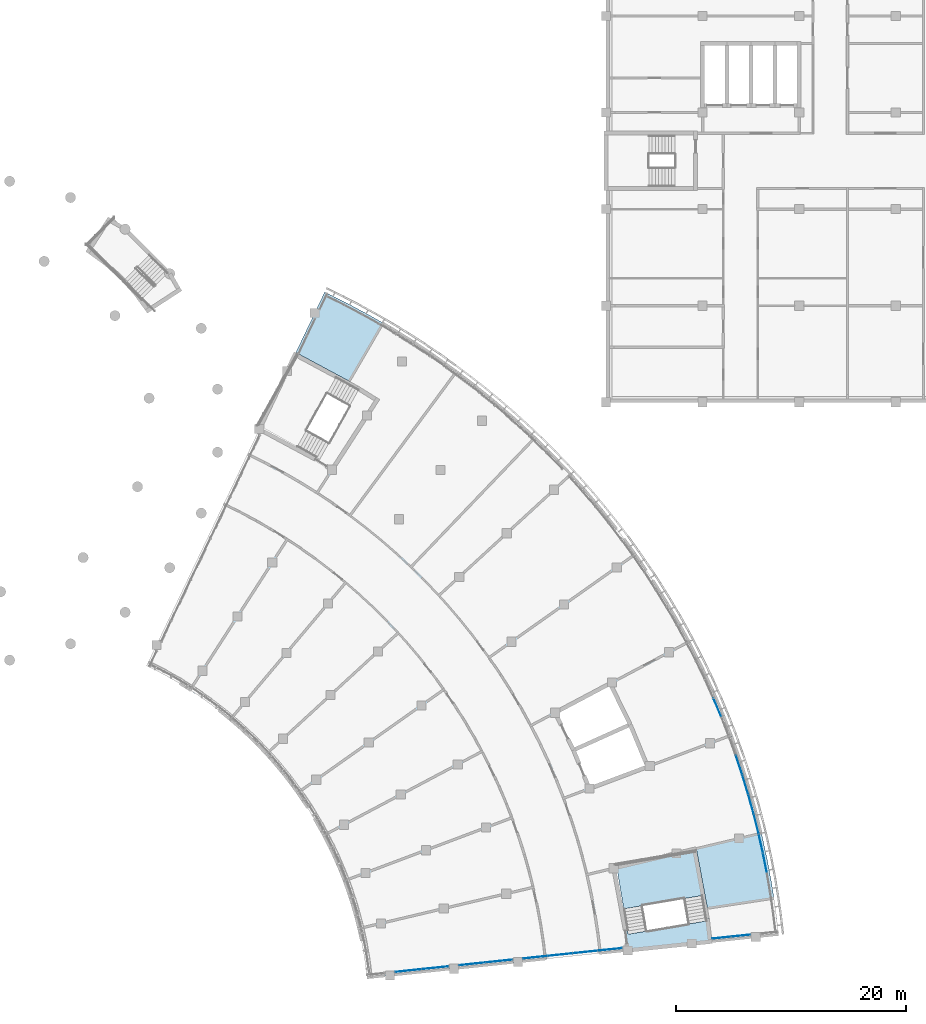
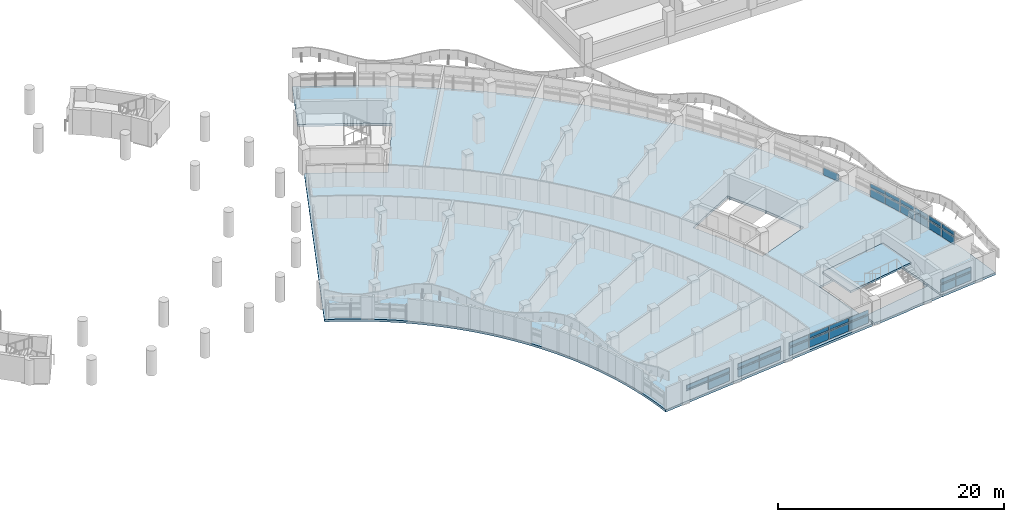
# One storey, part 33 of 89: 48 plates, 3 slabs, 8 elements without a shape of their own.
"""IFC4 building model written with IfcOpenShell, lengths in metres."""

from ifc_helpers import new_model, si_unit, direction, frame, origin, origin_2d, place, context, subcontext, project, spatial, polyline, rectangle, outline, extrude, material, layer, layer_set, type_object, element, aggregate, save


model = new_model("IFC4")

# Units and contexts
model_context = context("Model", 3, precision=1e-05, world=origin(), true_north=direction((0.0, 1.0)))
body_context = subcontext(model_context, "Body", "Model", "MODEL_VIEW")
ifc_project = project(units=[si_unit("LENGTHUNIT", "METRE"), si_unit("AREAUNIT", "SQUARE_METRE"), si_unit("VOLUMEUNIT", "CUBIC_METRE"), si_unit("PLANEANGLEUNIT", "RADIAN"), si_unit("MASSUNIT", "GRAM", prefix="KILO")], contexts=[model_context])

# Site, building, storey
site_placement = place(None, origin())
site = spatial("IfcSite", under=ifc_project, at=site_placement, CompositionType="ELEMENT")
building_placement = place(site_placement, origin())
building = spatial("IfcBuilding", under=site, at=building_placement, Name="Bougainvillea Quay General Hospital", CompositionType="ELEMENT")
storey_placement = place(building_placement, frame((0.0, 0.0, 9.89990234375)))
storey = spatial("IfcBuildingStorey", under=building, at=storey_placement, Name="L01M", CompositionType="ELEMENT", Elevation=9.89990234375)

# Curtain wall, plates
ifc_material_1 = material(Name="Aluminium curtain wall system, powder-coated glazed", Category="aluminium")
curtain_wall_type_1 = type_object("IfcCurtainWallType", Name="Unitised curtain wall CW-2380", PredefinedType="NOTDEFINED", material=ifc_material_1)
curtain_wall_1_placement = place(storey_placement, origin())
curtain_wall_1 = element("IfcCurtainWall", 1, at=curtain_wall_1_placement, inside=storey, type_object=curtain_wall_type_1, Name="CW-AE 01", PredefinedType="NOTDEFINED")
ifc_material_2 = material(Name="Insulated aluminium spandrel panel, white", Category="aluminium")
ifc_layer_1 = layer(ifc_material_2, 0.028076171875)
ifc_layer_set_1 = layer_set([ifc_layer_1], Name="Insulated aluminium spandrel panel, white")
plate_type_1 = type_object("IfcPlateType", Name="Insulated spandrel panel white 28", PredefinedType="CURTAIN_PANEL", material=ifc_layer_set_1)
plate_1_placement = place(storey_placement, frame((146.59326171875, 26.181640625, 1.080078125), z_axis=(0.0, 0.0, 1.0), x_axis=(0.9945220309, 0.104527173765, 0.0)))
plate_1 = element("IfcPlate", 2, at=plate_1_placement, type_object=plate_type_1, Name="CW-AE spandrel panel 1.3", PredefinedType="CURTAIN_PANEL", context=body_context, shape_type="SweptSolid", body=[
    extrude(rectangle(XDim=2.289794921875, YDim=0.028076171875, at=origin_2d()), origin(), (0.0, 0.0, 1.0), 0.409912109375),
])
plate_2_placement = place(storey_placement, frame((148.93017578125, 26.42724609375, 0.06005859375), z_axis=(0.0, 0.0, 1.0), x_axis=(0.9945220309, 0.104527173765, 0.0)))
plate_2 = element("IfcPlate", 3, at=plate_2_placement, type_object=plate_type_1, Name="CW-AE spandrel panel 2.1", PredefinedType="CURTAIN_PANEL", context=body_context, shape_type="SweptSolid", body=[
    extrude(rectangle(XDim=2.289794921875, YDim=0.028076171875, at=origin_2d()), origin(), (0.0, 0.0, 1.0), 0.81005859375),
])
plate_3_placement = place(storey_placement, frame((148.93017578125, 26.42724609375, 1.080078125), z_axis=(0.0, 0.0, 1.0), x_axis=(0.9945220309, 0.104527173765, 0.0)))
plate_3 = element("IfcPlate", 4, at=plate_3_placement, type_object=plate_type_1, Name="CW-AE spandrel panel 2.3", PredefinedType="CURTAIN_PANEL", context=body_context, shape_type="SweptSolid", body=[
    extrude(rectangle(XDim=2.289794921875, YDim=0.028076171875, at=origin_2d()), origin(), (0.0, 0.0, 1.0), 0.409912109375),
])

curtain_wall_2_placement = place(storey_placement, origin())
curtain_wall_2 = element("IfcCurtainWall", 5, at=curtain_wall_2_placement, inside=storey, type_object=curtain_wall_type_1, Name="CW-AE 02", PredefinedType="NOTDEFINED")
plate_4_placement = place(storey_placement, frame((152.162109375, 26.766845703125, 0.06005859375), z_axis=(0.0, 0.0, 1.0), x_axis=(0.9945220309, 0.104527173765, 0.0)))
plate_4 = element("IfcPlate", 6, at=plate_4_placement, type_object=plate_type_1, Name="CW-AE spandrel panel 1.1", PredefinedType="CURTAIN_PANEL", context=body_context, shape_type="SweptSolid", body=[
    extrude(rectangle(XDim=2.289794921875, YDim=0.028076171875, at=origin_2d()), origin(), (0.0, 0.0, 1.0), 0.81005859375),
])
plate_5_placement = place(storey_placement, frame((152.162109375, 26.766845703125, 1.080078125), z_axis=(0.0, 0.0, 1.0), x_axis=(0.9945220309, 0.104527173765, 0.0)))
plate_5 = element("IfcPlate", 7, at=plate_5_placement, type_object=plate_type_1, Name="CW-AE spandrel panel 1.3", PredefinedType="CURTAIN_PANEL", context=body_context, shape_type="SweptSolid", body=[
    extrude(rectangle(XDim=2.289794921875, YDim=0.028076171875, at=origin_2d()), origin(), (0.0, 0.0, 1.0), 0.409912109375),
])
plate_6_placement = place(storey_placement, frame((154.499267578125, 27.012451171875, 0.06005859375), z_axis=(0.0, 0.0, 1.0), x_axis=(0.9945220309, 0.104527173765, 0.0)))
plate_6 = element("IfcPlate", 8, at=plate_6_placement, type_object=plate_type_1, Name="CW-AE spandrel panel 2.1", PredefinedType="CURTAIN_PANEL", context=body_context, shape_type="SweptSolid", body=[
    extrude(rectangle(XDim=2.289794921875, YDim=0.028076171875, at=origin_2d()), origin(), (0.0, 0.0, 1.0), 0.81005859375),
])
plate_7_placement = place(storey_placement, frame((154.499267578125, 27.012451171875, 1.080078125), z_axis=(0.0, 0.0, 1.0), x_axis=(0.9945220309, 0.104527173765, 0.0)))
plate_7 = element("IfcPlate", 9, at=plate_7_placement, type_object=plate_type_1, Name="CW-AE spandrel panel 2.3", PredefinedType="CURTAIN_PANEL", context=body_context, shape_type="SweptSolid", body=[
    extrude(rectangle(XDim=2.289794921875, YDim=0.028076171875, at=origin_2d()), origin(), (0.0, 0.0, 1.0), 0.409912109375),
])

curtain_wall_type_2 = type_object("IfcCurtainWallType", Name="Unitised curtain wall CW-2190", PredefinedType="NOTDEFINED", material=ifc_material_1)
curtain_wall_3_placement = place(storey_placement, origin())
curtain_wall_3 = element("IfcCurtainWall", 10, at=curtain_wall_3_placement, inside=storey, type_object=curtain_wall_type_2, Name="CW-AE 03", PredefinedType="NOTDEFINED")
plate_8_placement = place(storey_placement, frame((157.63671875, 27.34228515625, 0.06005859375), z_axis=(0.0, 0.0, 1.0), x_axis=(0.9945220309, 0.104527173765, 0.0)))
plate_8 = element("IfcPlate", 11, at=plate_8_placement, type_object=plate_type_1, Name="CW-AE spandrel panel 1.1", PredefinedType="CURTAIN_PANEL", context=body_context, shape_type="SweptSolid", body=[
    extrude(rectangle(XDim=2.099853515625, YDim=0.028076171875, at=origin_2d()), origin(), (0.0, 0.0, 1.0), 0.81005859375),
])
plate_9_placement = place(storey_placement, frame((157.63671875, 27.34228515625, 1.080078125), z_axis=(0.0, 0.0, 1.0), x_axis=(0.9945220309, 0.104527173765, 0.0)))
plate_9 = element("IfcPlate", 12, at=plate_9_placement, type_object=plate_type_1, Name="CW-AE spandrel panel 1.3", PredefinedType="CURTAIN_PANEL", context=body_context, shape_type="SweptSolid", body=[
    extrude(rectangle(XDim=2.099853515625, YDim=0.028076171875, at=origin_2d()), origin(), (0.0, 0.0, 1.0), 0.409912109375),
])
plate_10_placement = place(storey_placement, frame((159.7998046875, 27.569580078125, 0.06005859375), z_axis=(0.0, 0.0, 1.0), x_axis=(0.9945220309, 0.104527173765, 0.0)))
plate_10 = element("IfcPlate", 13, at=plate_10_placement, type_object=plate_type_1, Name="CW-AE spandrel panel 2.1", PredefinedType="CURTAIN_PANEL", context=body_context, shape_type="SweptSolid", body=[
    extrude(rectangle(XDim=2.1298828125, YDim=0.028076171875, at=origin_2d()), origin(), (0.0, 0.0, 1.0), 0.81005859375),
])
plate_11_placement = place(storey_placement, frame((159.7998046875, 27.569580078125, 1.080078125), z_axis=(0.0, 0.0, 1.0), x_axis=(0.9945220309, 0.104527173765, 0.0)))
plate_11 = element("IfcPlate", 14, at=plate_11_placement, type_object=plate_type_1, Name="CW-AE spandrel panel 2.3", PredefinedType="CURTAIN_PANEL", context=body_context, shape_type="SweptSolid", body=[
    extrude(rectangle(XDim=2.1298828125, YDim=0.028076171875, at=origin_2d()), origin(), (0.0, 0.0, 1.0), 0.409912109375),
])
plate_12_placement = place(storey_placement, frame((161.977783203125, 27.798583984375, 0.06005859375), z_axis=(0.0, 0.0, 1.0), x_axis=(0.9945220309, 0.104527173765, 0.0)))
plate_12 = element("IfcPlate", 15, at=plate_12_placement, type_object=plate_type_1, Name="CW-AE spandrel panel 3.1", PredefinedType="CURTAIN_PANEL", context=body_context, shape_type="SweptSolid", body=[
    extrude(rectangle(XDim=2.1298828125, YDim=0.028076171875, at=origin_2d()), origin(), (0.0, 0.0, 1.0), 0.81005859375),
])
plate_13_placement = place(storey_placement, frame((161.977783203125, 27.798583984375, 1.080078125), z_axis=(0.0, 0.0, 1.0), x_axis=(0.9945220309, 0.104527173765, 0.0)))
plate_13 = element("IfcPlate", 16, at=plate_13_placement, type_object=plate_type_1, Name="CW-AE spandrel panel 3.3", PredefinedType="CURTAIN_PANEL", context=body_context, shape_type="SweptSolid", body=[
    extrude(rectangle(XDim=2.1298828125, YDim=0.028076171875, at=origin_2d()), origin(), (0.0, 0.0, 1.0), 0.409912109375),
])
plate_14_placement = place(storey_placement, frame((164.140625, 28.02587890625, 0.06005859375), z_axis=(0.0, 0.0, 1.0), x_axis=(0.9945220309, 0.104527173765, 0.0)))
plate_14 = element("IfcPlate", 17, at=plate_14_placement, type_object=plate_type_1, Name="CW-AE spandrel panel 4.1", PredefinedType="CURTAIN_PANEL", context=body_context, shape_type="SweptSolid", body=[
    extrude(rectangle(XDim=2.099853515625, YDim=0.028076171875, at=origin_2d()), origin(), (0.0, 0.0, 1.0), 0.81005859375),
])
plate_15_placement = place(storey_placement, frame((164.140625, 28.02587890625, 1.080078125), z_axis=(0.0, 0.0, 1.0), x_axis=(0.9945220309, 0.104527173765, 0.0)))
plate_15 = element("IfcPlate", 18, at=plate_15_placement, type_object=plate_type_1, Name="CW-AE spandrel panel 4.3", PredefinedType="CURTAIN_PANEL", context=body_context, shape_type="SweptSolid", body=[
    extrude(rectangle(XDim=2.099853515625, YDim=0.028076171875, at=origin_2d()), origin(), (0.0, 0.0, 1.0), 0.409912109375),
])

curtain_wall_type_3 = type_object("IfcCurtainWallType", Name="Unitised curtain wall CW-1703", PredefinedType="NOTDEFINED", material=ifc_material_1)
curtain_wall_4_placement = place(storey_placement, origin())
curtain_wall_4 = element("IfcCurtainWall", 19, at=curtain_wall_4_placement, inside=storey, type_object=curtain_wall_type_3, Name="CW-AE 04", PredefinedType="NOTDEFINED")
plate_16_placement = place(storey_placement, frame((173.85888671875, 29.04736328125, 0.06005859375), z_axis=(0.0, 0.0, 1.0), x_axis=(0.9945220309, 0.104527173765, 0.0)))
plate_16 = element("IfcPlate", 20, at=plate_16_placement, type_object=plate_type_1, Name="CW-AE spandrel panel 1.1", PredefinedType="CURTAIN_PANEL", context=body_context, shape_type="SweptSolid", body=[
    extrude(rectangle(XDim=1.612548828125, YDim=0.028076171875, at=origin_2d()), origin(), (0.0, 0.0, 1.0), 0.81005859375),
])
plate_17_placement = place(storey_placement, frame((173.85888671875, 29.04736328125, 1.080078125), z_axis=(0.0, 0.0, 1.0), x_axis=(0.9945220309, 0.104527173765, 0.0)))
plate_17 = element("IfcPlate", 21, at=plate_17_placement, type_object=plate_type_1, Name="CW-AE spandrel panel 1.3", PredefinedType="CURTAIN_PANEL", context=body_context, shape_type="SweptSolid", body=[
    extrude(rectangle(XDim=1.612548828125, YDim=0.028076171875, at=origin_2d()), origin(), (0.0, 0.0, 1.0), 0.409912109375),
])
plate_18_placement = place(storey_placement, frame((175.522216796875, 29.22216796875, 0.06005859375), z_axis=(0.0, 0.0, 1.0), x_axis=(0.9945220309, 0.104527173765, 0.0)))
plate_18 = element("IfcPlate", 22, at=plate_18_placement, type_object=plate_type_1, Name="CW-AE spandrel panel 2.1", PredefinedType="CURTAIN_PANEL", context=body_context, shape_type="SweptSolid", body=[
    extrude(rectangle(XDim=1.612548828125, YDim=0.028076171875, at=origin_2d()), origin(), (0.0, 0.0, 1.0), 0.81005859375),
])
plate_19_placement = place(storey_placement, frame((175.522216796875, 29.22216796875, 1.080078125), z_axis=(0.0, 0.0, 1.0), x_axis=(0.9945220309, 0.104527173765, 0.0)))
plate_19 = element("IfcPlate", 23, at=plate_19_placement, type_object=plate_type_1, Name="CW-AE spandrel panel 2.3", PredefinedType="CURTAIN_PANEL", context=body_context, shape_type="SweptSolid", body=[
    extrude(rectangle(XDim=1.612548828125, YDim=0.028076171875, at=origin_2d()), origin(), (0.0, 0.0, 1.0), 0.409912109375),
])

# Curtain wall, plate
curtain_wall_type_4 = type_object("IfcCurtainWallType", Name="Unitised curtain wall CW-2100", PredefinedType="NOTDEFINED", material=ifc_material_1)
curtain_wall_5_placement = place(storey_placement, origin())
curtain_wall_5 = element("IfcCurtainWall", 24, at=curtain_wall_5_placement, inside=storey, type_object=curtain_wall_type_4, Name="CW-E06 a14b5", PredefinedType="NOTDEFINED")
plate_20_placement = place(storey_placement, frame((173.48486328125, 49.051513671875, 0.06005859375), z_axis=(0.0, 0.0, 1.0), x_axis=(0.387863093127, -0.921716996149, 0.0)))
plate_20 = element("IfcPlate", 25, at=plate_20_placement, type_object=plate_type_1, Name="CW-E06 spandrel panel 4.1", PredefinedType="CURTAIN_PANEL", context=body_context, shape_type="SweptSolid", body=[
    extrude(rectangle(XDim=1.72021484375, YDim=0.028076171875, at=origin_2d()), origin(), (0.0, 0.0, 1.0), 0.81005859375),
])
aggregate(curtain_wall_5, [plate_20])

# Curtain wall, plates
curtain_wall_6_placement = place(storey_placement, origin())
curtain_wall_6 = element("IfcCurtainWall", 26, at=curtain_wall_6_placement, inside=storey, type_object=curtain_wall_type_4, Name="CW-E07 a14b6", PredefinedType="NOTDEFINED")
plate_21_placement = place(storey_placement, frame((175.365966796875, 44.0546875, 0.06005859375), z_axis=(0.0, 0.0, 1.0), x_axis=(0.316218678786, -0.948686327079, 0.0)))
plate_21 = element("IfcPlate", 27, at=plate_21_placement, type_object=plate_type_1, Name="CW-E07 spandrel panel 2.1", PredefinedType="CURTAIN_PANEL", context=body_context, shape_type="SweptSolid", body=[
    extrude(rectangle(XDim=1.72021484375, YDim=0.028076171875, at=origin_2d()), origin(), (0.0, 0.0, 1.0), 0.81005859375),
])
plate_22_placement = place(storey_placement, frame((175.365966796875, 44.0546875, 1.080078125), z_axis=(0.0, 0.0, 1.0), x_axis=(0.316218678786, -0.948686327079, 0.0)))
plate_22 = element("IfcPlate", 28, at=plate_22_placement, type_object=plate_type_1, Name="CW-E07 spandrel panel 2.3", PredefinedType="CURTAIN_PANEL", context=body_context, shape_type="SweptSolid", body=[
    extrude(rectangle(XDim=1.72021484375, YDim=0.028076171875, at=origin_2d()), origin(), (0.0, 0.0, 1.0), 0.409912109375),
])
plate_23_placement = place(storey_placement, frame((175.9072265625, 42.35888671875, 0.06005859375), z_axis=(0.0, 0.0, 1.0), x_axis=(0.291904331163, -0.956447521534, 0.0)))
plate_23 = element("IfcPlate", 29, at=plate_23_placement, type_object=plate_type_1, Name="CW-E07 spandrel panel 3.1", PredefinedType="CURTAIN_PANEL", context=body_context, shape_type="SweptSolid", body=[
    extrude(rectangle(XDim=1.72021484375, YDim=0.028076171875, at=origin_2d()), origin(), (0.0, 0.0, 1.0), 0.81005859375),
])
plate_24_placement = place(storey_placement, frame((175.9072265625, 42.35888671875, 1.080078125), z_axis=(0.0, 0.0, 1.0), x_axis=(0.291904331163, -0.956447521534, 0.0)))
plate_24 = element("IfcPlate", 30, at=plate_24_placement, type_object=plate_type_1, Name="CW-E07 spandrel panel 3.3", PredefinedType="CURTAIN_PANEL", context=body_context, shape_type="SweptSolid", body=[
    extrude(rectangle(XDim=1.72021484375, YDim=0.028076171875, at=origin_2d()), origin(), (0.0, 0.0, 1.0), 0.409912109375),
])
plate_25_placement = place(storey_placement, frame((176.405029296875, 40.649658203125, 0.06005859375), z_axis=(0.0, 0.0, 1.0), x_axis=(0.267399830158, -0.963585663463, 0.0)))
plate_25 = element("IfcPlate", 31, at=plate_25_placement, type_object=plate_type_1, Name="CW-E07 spandrel panel 4.1", PredefinedType="CURTAIN_PANEL", context=body_context, shape_type="SweptSolid", body=[
    extrude(rectangle(XDim=1.72021484375, YDim=0.028076171875, at=origin_2d()), origin(), (0.0, 0.0, 1.0), 0.81005859375),
])
plate_26_placement = place(storey_placement, frame((176.405029296875, 40.649658203125, 1.080078125), z_axis=(0.0, 0.0, 1.0), x_axis=(0.267399830158, -0.963585663463, 0.0)))
plate_26 = element("IfcPlate", 32, at=plate_26_placement, type_object=plate_type_1, Name="CW-E07 spandrel panel 4.3", PredefinedType="CURTAIN_PANEL", context=body_context, shape_type="SweptSolid", body=[
    extrude(rectangle(XDim=1.72021484375, YDim=0.028076171875, at=origin_2d()), origin(), (0.0, 0.0, 1.0), 0.409912109375),
])
plate_27_placement = place(storey_placement, frame((176.85546875, 38.943115234375, 0.06005859375), z_axis=(0.0, 0.0, 1.0), x_axis=(0.242721138583, -0.970096102912, 0.0)))
plate_27 = element("IfcPlate", 33, at=plate_27_placement, type_object=plate_type_1, Name="CW-E07 spandrel panel 5.1", PredefinedType="CURTAIN_PANEL", context=body_context, shape_type="SweptSolid", body=[
    extrude(rectangle(XDim=1.690185546875, YDim=0.028076171875, at=origin_2d()), origin(), (0.0, 0.0, 1.0), 0.81005859375),
])
plate_28_placement = place(storey_placement, frame((176.85546875, 38.943115234375, 1.080078125), z_axis=(0.0, 0.0, 1.0), x_axis=(0.242721138583, -0.970096102912, 0.0)))
plate_28 = element("IfcPlate", 34, at=plate_28_placement, type_object=plate_type_1, Name="CW-E07 spandrel panel 5.3", PredefinedType="CURTAIN_PANEL", context=body_context, shape_type="SweptSolid", body=[
    extrude(rectangle(XDim=1.690185546875, YDim=0.028076171875, at=origin_2d()), origin(), (0.0, 0.0, 1.0), 0.409912109375),
])

curtain_wall_7_placement = place(storey_placement, origin())
curtain_wall_7 = element("IfcCurtainWall", 35, at=curtain_wall_7_placement, inside=storey, type_object=curtain_wall_type_4, Name="CW-E08 a14b7", PredefinedType="NOTDEFINED")
plate_29_placement = place(storey_placement, frame((177.265625, 37.21435546875, 0.06005859375), z_axis=(0.0, 0.0, 1.0), x_axis=(0.218351478204, -0.97587019217, 0.0)))
plate_29 = element("IfcPlate", 36, at=plate_29_placement, type_object=plate_type_1, Name="CW-E08 spandrel panel 1.1", PredefinedType="CURTAIN_PANEL", context=body_context, shape_type="SweptSolid", body=[
    extrude(rectangle(XDim=1.62353515625, YDim=0.028076171875, at=origin_2d()), origin(), (0.0, 0.0, 1.0), 0.81005859375),
])
plate_30_placement = place(storey_placement, frame((177.265625, 37.21435546875, 1.080078125), z_axis=(0.0, 0.0, 1.0), x_axis=(0.218351478204, -0.97587019217, 0.0)))
plate_30 = element("IfcPlate", 37, at=plate_30_placement, type_object=plate_type_1, Name="CW-E08 spandrel panel 1.3", PredefinedType="CURTAIN_PANEL", context=body_context, shape_type="SweptSolid", body=[
    extrude(rectangle(XDim=1.62353515625, YDim=0.028076171875, at=origin_2d()), origin(), (0.0, 0.0, 1.0), 0.409912109375),
])
plate_31_placement = place(storey_placement, frame((177.61572265625, 35.552490234375, 0.06005859375), z_axis=(0.0, 0.0, 1.0), x_axis=(0.194314432457, -0.98093929544, 0.0)))
plate_31 = element("IfcPlate", 38, at=plate_31_placement, type_object=plate_type_1, Name="CW-E08 spandrel panel 2.1", PredefinedType="CURTAIN_PANEL", context=body_context, shape_type="SweptSolid", body=[
    extrude(rectangle(XDim=1.653564453125, YDim=0.028076171875, at=origin_2d()), origin(), (0.0, 0.0, 1.0), 0.81005859375),
])
plate_32_placement = place(storey_placement, frame((177.61572265625, 35.552490234375, 1.080078125), z_axis=(0.0, 0.0, 1.0), x_axis=(0.194314432457, -0.98093929544, 0.0)))
plate_32 = element("IfcPlate", 39, at=plate_32_placement, type_object=plate_type_1, Name="CW-E08 spandrel panel 2.3", PredefinedType="CURTAIN_PANEL", context=body_context, shape_type="SweptSolid", body=[
    extrude(rectangle(XDim=1.653564453125, YDim=0.028076171875, at=origin_2d()), origin(), (0.0, 0.0, 1.0), 0.409912109375),
])

# Plate
ifc_material_3 = material(Name="Low-e laminated glass, solar control", Category="glass")
ifc_layer_2 = layer(ifc_material_3, 0.028076171875)
ifc_layer_set_2 = layer_set([ifc_layer_2], Name="Low-e laminated glass, solar control")
plate_type_2 = type_object("IfcPlateType", Name="Low-e laminated vision glass 28", PredefinedType="CURTAIN_PANEL", material=ifc_layer_set_2)
plate_33_placement = place(storey_placement, frame((146.59326171875, 26.181640625, 0.93017578125), z_axis=(0.0, 0.0, 1.0), x_axis=(0.9945220309, 0.104527173765, 0.0)))
plate_33 = element("IfcPlate", 40, at=plate_33_placement, type_object=plate_type_2, Name="CW-AE vision glass panel 1.2", PredefinedType="CURTAIN_PANEL", context=body_context, shape_type="SweptSolid", body=[
    extrude(rectangle(XDim=2.289794921875, YDim=0.028076171875, at=origin_2d()), origin(), (0.0, 0.0, 1.0), 0.090087890625),
])

plate_34_placement = place(storey_placement, frame((148.93017578125, 26.42724609375, 0.93017578125), z_axis=(0.0, 0.0, 1.0), x_axis=(0.9945220309, 0.104527173765, 0.0)))
plate_34 = element("IfcPlate", 41, at=plate_34_placement, type_object=plate_type_2, Name="CW-AE vision glass panel 2.2", PredefinedType="CURTAIN_PANEL", context=body_context, shape_type="SweptSolid", body=[
    extrude(rectangle(XDim=2.289794921875, YDim=0.028076171875, at=origin_2d()), origin(), (0.0, 0.0, 1.0), 0.090087890625),
])

aggregate(curtain_wall_1, [plate_33, plate_1, plate_2, plate_34, plate_3])

plate_35_placement = place(storey_placement, frame((152.162109375, 26.766845703125, 0.93017578125), z_axis=(0.0, 0.0, 1.0), x_axis=(0.9945220309, 0.104527173765, 0.0)))
plate_35 = element("IfcPlate", 42, at=plate_35_placement, type_object=plate_type_2, Name="CW-AE vision glass panel 1.2", PredefinedType="CURTAIN_PANEL", context=body_context, shape_type="SweptSolid", body=[
    extrude(rectangle(XDim=2.289794921875, YDim=0.028076171875, at=origin_2d()), origin(), (0.0, 0.0, 1.0), 0.090087890625),
])

plate_36_placement = place(storey_placement, frame((154.499267578125, 27.012451171875, 0.93017578125), z_axis=(0.0, 0.0, 1.0), x_axis=(0.9945220309, 0.104527173765, 0.0)))
plate_36 = element("IfcPlate", 43, at=plate_36_placement, type_object=plate_type_2, Name="CW-AE vision glass panel 2.2", PredefinedType="CURTAIN_PANEL", context=body_context, shape_type="SweptSolid", body=[
    extrude(rectangle(XDim=2.289794921875, YDim=0.028076171875, at=origin_2d()), origin(), (0.0, 0.0, 1.0), 0.090087890625),
])

aggregate(curtain_wall_2, [plate_4, plate_35, plate_5, plate_6, plate_36, plate_7])

plate_37_placement = place(storey_placement, frame((157.63671875, 27.34228515625, 0.93017578125), z_axis=(0.0, 0.0, 1.0), x_axis=(0.9945220309, 0.104527173765, 0.0)))
plate_37 = element("IfcPlate", 44, at=plate_37_placement, type_object=plate_type_2, Name="CW-AE vision glass panel 1.2", PredefinedType="CURTAIN_PANEL", context=body_context, shape_type="SweptSolid", body=[
    extrude(rectangle(XDim=2.099853515625, YDim=0.028076171875, at=origin_2d()), origin(), (0.0, 0.0, 1.0), 0.090087890625),
])

plate_38_placement = place(storey_placement, frame((159.7998046875, 27.569580078125, 0.93017578125), z_axis=(0.0, 0.0, 1.0), x_axis=(0.9945220309, 0.104527173765, 0.0)))
plate_38 = element("IfcPlate", 45, at=plate_38_placement, type_object=plate_type_2, Name="CW-AE vision glass panel 2.2", PredefinedType="CURTAIN_PANEL", context=body_context, shape_type="SweptSolid", body=[
    extrude(rectangle(XDim=2.1298828125, YDim=0.028076171875, at=origin_2d()), origin(), (0.0, 0.0, 1.0), 0.090087890625),
])

plate_39_placement = place(storey_placement, frame((161.977783203125, 27.798583984375, 0.93017578125), z_axis=(0.0, 0.0, 1.0), x_axis=(0.9945220309, 0.104527173765, 0.0)))
plate_39 = element("IfcPlate", 46, at=plate_39_placement, type_object=plate_type_2, Name="CW-AE vision glass panel 3.2", PredefinedType="CURTAIN_PANEL", context=body_context, shape_type="SweptSolid", body=[
    extrude(rectangle(XDim=2.1298828125, YDim=0.028076171875, at=origin_2d()), origin(), (0.0, 0.0, 1.0), 0.090087890625),
])

plate_40_placement = place(storey_placement, frame((164.140625, 28.02587890625, 0.93017578125), z_axis=(0.0, 0.0, 1.0), x_axis=(0.9945220309, 0.104527173765, 0.0)))
plate_40 = element("IfcPlate", 47, at=plate_40_placement, type_object=plate_type_2, Name="CW-AE vision glass panel 4.2", PredefinedType="CURTAIN_PANEL", context=body_context, shape_type="SweptSolid", body=[
    extrude(rectangle(XDim=2.099853515625, YDim=0.028076171875, at=origin_2d()), origin(), (0.0, 0.0, 1.0), 0.090087890625),
])

aggregate(curtain_wall_3, [plate_8, plate_37, plate_9, plate_10, plate_38, plate_11, plate_12, plate_39, plate_13, plate_14, plate_40, plate_15])

plate_41_placement = place(storey_placement, frame((173.85888671875, 29.04736328125, 0.93017578125), z_axis=(0.0, 0.0, 1.0), x_axis=(0.9945220309, 0.104527173765, 0.0)))
plate_41 = element("IfcPlate", 48, at=plate_41_placement, type_object=plate_type_2, Name="CW-AE vision glass panel 1.2", PredefinedType="CURTAIN_PANEL", context=body_context, shape_type="SweptSolid", body=[
    extrude(rectangle(XDim=1.612548828125, YDim=0.028076171875, at=origin_2d()), origin(), (0.0, 0.0, 1.0), 0.090087890625),
])

plate_42_placement = place(storey_placement, frame((175.522216796875, 29.22216796875, 0.93017578125), z_axis=(0.0, 0.0, 1.0), x_axis=(0.9945220309, 0.104527173765, 0.0)))
plate_42 = element("IfcPlate", 49, at=plate_42_placement, type_object=plate_type_2, Name="CW-AE vision glass panel 2.2", PredefinedType="CURTAIN_PANEL", context=body_context, shape_type="SweptSolid", body=[
    extrude(rectangle(XDim=1.612548828125, YDim=0.028076171875, at=origin_2d()), origin(), (0.0, 0.0, 1.0), 0.090087890625),
])

aggregate(curtain_wall_4, [plate_16, plate_41, plate_17, plate_18, plate_42, plate_19])

plate_43_placement = place(storey_placement, frame((175.365966796875, 44.0546875, 0.93017578125), z_axis=(0.0, 0.0, 1.0), x_axis=(0.316218678786, -0.948686327079, 0.0)))
plate_43 = element("IfcPlate", 50, at=plate_43_placement, type_object=plate_type_2, Name="CW-E07 vision glass panel 2.2", PredefinedType="CURTAIN_PANEL", context=body_context, shape_type="SweptSolid", body=[
    extrude(rectangle(XDim=1.72021484375, YDim=0.028076171875, at=origin_2d()), origin(), (0.0, 0.0, 1.0), 0.090087890625),
])

plate_44_placement = place(storey_placement, frame((175.9072265625, 42.35888671875, 0.93017578125), z_axis=(0.0, 0.0, 1.0), x_axis=(0.291904331163, -0.956447521534, 0.0)))
plate_44 = element("IfcPlate", 51, at=plate_44_placement, type_object=plate_type_2, Name="CW-E07 vision glass panel 3.2", PredefinedType="CURTAIN_PANEL", context=body_context, shape_type="SweptSolid", body=[
    extrude(rectangle(XDim=1.72021484375, YDim=0.028076171875, at=origin_2d()), origin(), (0.0, 0.0, 1.0), 0.090087890625),
])

plate_45_placement = place(storey_placement, frame((176.405029296875, 40.649658203125, 0.93017578125), z_axis=(0.0, 0.0, 1.0), x_axis=(0.267399830158, -0.963585663463, 0.0)))
plate_45 = element("IfcPlate", 52, at=plate_45_placement, type_object=plate_type_2, Name="CW-E07 vision glass panel 4.2", PredefinedType="CURTAIN_PANEL", context=body_context, shape_type="SweptSolid", body=[
    extrude(rectangle(XDim=1.72021484375, YDim=0.028076171875, at=origin_2d()), origin(), (0.0, 0.0, 1.0), 0.090087890625),
])

plate_46_placement = place(storey_placement, frame((176.85546875, 38.943115234375, 0.93017578125), z_axis=(0.0, 0.0, 1.0), x_axis=(0.242721138583, -0.970096102912, 0.0)))
plate_46 = element("IfcPlate", 53, at=plate_46_placement, type_object=plate_type_2, Name="CW-E07 vision glass panel 5.2", PredefinedType="CURTAIN_PANEL", context=body_context, shape_type="SweptSolid", body=[
    extrude(rectangle(XDim=1.690185546875, YDim=0.028076171875, at=origin_2d()), origin(), (0.0, 0.0, 1.0), 0.090087890625),
])

aggregate(curtain_wall_6, [plate_21, plate_43, plate_22, plate_23, plate_44, plate_24, plate_25, plate_45, plate_26, plate_27, plate_46, plate_28])

plate_47_placement = place(storey_placement, frame((177.265625, 37.21435546875, 0.93017578125), z_axis=(0.0, 0.0, 1.0), x_axis=(0.218351478204, -0.97587019217, 0.0)))
plate_47 = element("IfcPlate", 54, at=plate_47_placement, type_object=plate_type_2, Name="CW-E08 vision glass panel 1.2", PredefinedType="CURTAIN_PANEL", context=body_context, shape_type="SweptSolid", body=[
    extrude(rectangle(XDim=1.62353515625, YDim=0.028076171875, at=origin_2d()), origin(), (0.0, 0.0, 1.0), 0.090087890625),
])

plate_48_placement = place(storey_placement, frame((177.61572265625, 35.552490234375, 0.93017578125), z_axis=(0.0, 0.0, 1.0), x_axis=(0.194314432457, -0.98093929544, 0.0)))
plate_48 = element("IfcPlate", 55, at=plate_48_placement, type_object=plate_type_2, Name="CW-E08 vision glass panel 2.2", PredefinedType="CURTAIN_PANEL", context=body_context, shape_type="SweptSolid", body=[
    extrude(rectangle(XDim=1.653564453125, YDim=0.028076171875, at=origin_2d()), origin(), (0.0, 0.0, 1.0), 0.090087890625),
])

aggregate(curtain_wall_7, [plate_29, plate_47, plate_30, plate_31, plate_48, plate_32])

# Slabs
ifc_material_4 = material(Name="Concrete C35", Category="concrete")
ifc_layer_3 = layer(ifc_material_4, 0.25)
ifc_layer_set_3 = layer_set([ifc_layer_3], Name="Concrete C35")
slab_type_1 = type_object("IfcSlabType", Name="RC FLAT SLAB 250 C35", PredefinedType="FLOOR", material=ifc_layer_set_3)
slab_1_placement = place(storey_placement, frame((0.0, 0.0, -0.25)))
element("IfcSlab", 56, at=slab_1_placement, inside=storey, type_object=slab_type_1, Name="Slab S5 L01M", PredefinedType="FLOOR", context=body_context, shape_type="SweptSolid", body=[
    extrude(outline(polyline([(163.072021484375, 66.697021484375), (164.428955078125, 65.009033203125), (165.73291015625, 63.280029296875), (166.98291015625, 61.510986328125), (168.177978515625, 59.705078125), (169.31591796875, 57.862060546875), (170.39599609375, 55.985107421875), (171.41796875, 54.075927734375), (172.381103515625, 52.135986328125), (173.282958984375, 50.1669921875), (174.1240234375, 48.1708984375), (174.902099609375, 46.14990234375), (175.617919921875, 44.10595703125), (176.27001953125, 42.041015625), (176.85791015625, 39.9560546875), (177.381103515625, 37.85498046875), (177.839111328125, 35.738037109375), (178.23095703125, 33.60791015625), (178.556884765625, 31.467041015625), (178.81689453125, 29.31689453125), (173.0234375, 28.7080078125), (173.004638671875, 28.88623046875), (172.829345703125, 28.867919921875), (173.001708984375, 28.888916015625), (172.77734375, 30.736572265625), (172.602783203125, 30.720947265625), (172.77392578125, 30.758544921875), (171.68310546875, 36.60107421875), (171.5166015625, 36.570068359375), (171.689697265625, 36.611083984375), (171.60888671875, 36.95166015625), (165.155517578125, 35.423583984375), (164.694091796875, 35.344970703125), (164.694091796875, 35.344970703125), (164.698974609375, 35.3154296875), (164.262451171875, 35.2119140625), (164.337158203125, 34.878662109375), (165.296875, 29.71337890625), (165.514404296875, 27.9189453125), (143.013916015625, 25.553955078125), (142.887939453125, 26.597900390625), (142.72900390625, 27.637939453125), (142.5390625, 28.673095703125), (142.31591796875, 29.700927734375), (142.06201171875, 30.721923828125), (141.777099609375, 31.73388671875), (141.4599609375, 32.737060546875), (141.112060546875, 33.72998046875), (140.73388671875, 34.7119140625), (140.325927734375, 35.680908203125), (139.887939453125, 36.636962890625), (139.419921875, 37.580078125), (138.924072265625, 38.507080078125), (138.39892578125, 39.4189453125), (137.845947265625, 40.31396484375), (137.26611328125, 41.19091796875), (136.658935546875, 42.050048828125), (136.02587890625, 42.889892578125), (135.365966796875, 43.7099609375), (134.681884765625, 44.509033203125), (133.97412109375, 45.285888671875), (133.241943359375, 46.0419921875), (132.486083984375, 46.77392578125), (131.708984375, 47.48193359375), (130.909912109375, 48.166015625), (130.090087890625, 48.825927734375), (129.25, 49.458984375), (128.39111328125, 50.06591796875), (127.513916015625, 50.64599609375), (126.618896484375, 51.198974609375), (125.70703125, 51.72412109375), (124.780029296875, 52.219970703125), (123.8369140625, 52.68798828125), (133.57763671875, 73.10888671875), (133.726318359375, 73.03369140625), (138.353271484375, 70.54345703125), (140.03515625, 69.4970703125), (140.2197265625, 69.791015625), (144.122802734375, 75.84130859375), (143.828857421875, 76.031005859375), (143.733154296875, 75.8828125), (143.824951171875, 76.030029296875), (142.244140625, 77.013671875), (142.14697265625, 76.867919921875), (142.224853515625, 77.02490234375), (136.989990234375, 79.83642578125), (136.909912109375, 79.68701171875), (136.986328125, 79.84765625), (136.827880859375, 79.923095703125), (139.3359375, 85.180908203125), (141.27587890625, 84.218017578125), (143.18505859375, 83.196044921875), (145.06201171875, 82.115966796875), (146.905029296875, 80.97802734375), (148.7109375, 79.782958984375), (150.47998046875, 78.532958984375), (152.208984375, 77.22900390625), (153.89697265625, 75.8720703125), (155.5419921875, 74.464111328125), (157.14306640625, 73.0048828125), (158.697021484375, 71.4970703125), (160.205078125, 69.943115234375), (161.6640625, 68.342041015625), (163.072021484375, 66.697021484375)]), holes=[polyline([(164.38671875, 51.0712890625), (164.22265625, 51.380615234375), (159.142333984375, 48.685546875), (159.301513671875, 48.3798828125), (160.814453125, 45.2880859375), (162.132080078125, 42.10693359375), (162.255859375, 41.78564453125), (167.637451171875, 43.810791015625), (167.51416015625, 44.138427734375), (167.347900390625, 44.07568359375), (167.5068359375, 44.1416015625), (166.059814453125, 47.6416015625), (165.89599609375, 47.580078125), (166.05078125, 47.662109375), (164.384033203125, 51.063720703125), (164.2294921875, 50.988037109375), (164.38671875, 51.0712890625)])]), origin(), (0.0, 0.0, 1.0), 0.25),
])
slab_2_placement = place(storey_placement, frame((0.0, 0.0, -0.25)))
element("IfcSlab", 57, at=slab_2_placement, inside=storey, type_object=slab_type_1, Name="Stair landing floor ST-E2 L01M", PredefinedType="FLOOR", context=body_context, shape_type="SweptSolid", body=[
    extrude(outline(polyline([(169.1787109375, 28.2578125), (165.95751953125, 27.919189453125), (165.94921875, 27.968505859375), (165.68798828125, 27.94091796875), (165.469970703125, 29.739990234375), (165.448486328125, 29.879638671875), (165.501220703125, 29.902587890625), (165.55712890625, 29.9208984375), (165.61376953125, 29.93359375), (165.71484375, 29.341552734375), (172.57568359375, 30.5087890625), (172.47509765625, 31.10107421875), (172.53271484375, 31.10791015625), (172.54345703125, 31.108154296875), (172.60302734375, 30.720947265625), (172.7626953125, 29.406005859375), (172.8515625, 28.8828125), (172.82666015625, 28.87841796875), (172.84912109375, 28.694091796875), (169.952392578125, 28.389404296875), (169.1787109375, 28.2578125)])), origin(), (0.0, 0.0, 1.0), 0.25),
])

# Stair, slab
stair_type = type_object("IfcStairType", Name="Stair half-turn 1650 wide", PredefinedType="HALF_TURN_STAIR", material=ifc_material_4)
stair_placement = place(storey_placement, origin())
stair = element("IfcStair", 58, at=stair_placement, inside=storey, type_object=stair_type, Name="L01M stair ST-E2", PredefinedType="HALF_TURN_STAIR")
ifc_layer_4 = layer(ifc_material_4, 0.199951171875)
ifc_layer_set_4 = layer_set([ifc_layer_4], Name="Concrete C35")
slab_type_2 = type_object("IfcSlabType", Name="Stair landing 200", PredefinedType="LANDING", material=ifc_layer_set_4)
slab_3_placement = place(storey_placement, frame((0.0, 0.0, 1.150146484375)))
slab_3 = element("IfcSlab", 59, at=slab_3_placement, type_object=slab_type_2, Name="ST-E2 landing 1", PredefinedType="LANDING", context=body_context, shape_type="SweptSolid", body=[
    extrude(outline(polyline([(172.19921875, 32.717529296875), (171.544677734375, 36.563232421875), (164.685302734375, 35.396240234375), (165.339599609375, 31.550537109375), (172.19921875, 32.717529296875)])), origin(), (0.0, 0.0, 1.0), 0.199951171875),
])
aggregate(stair, [slab_3])

save(model, "model.ifc")
